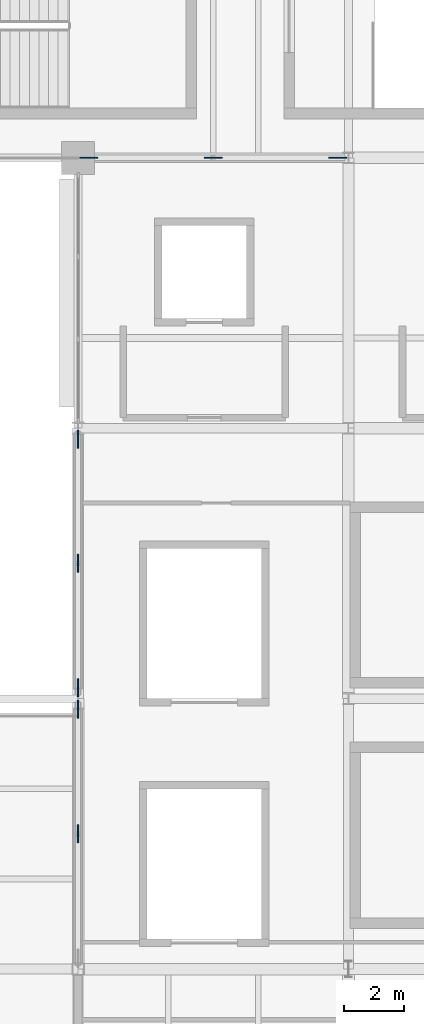
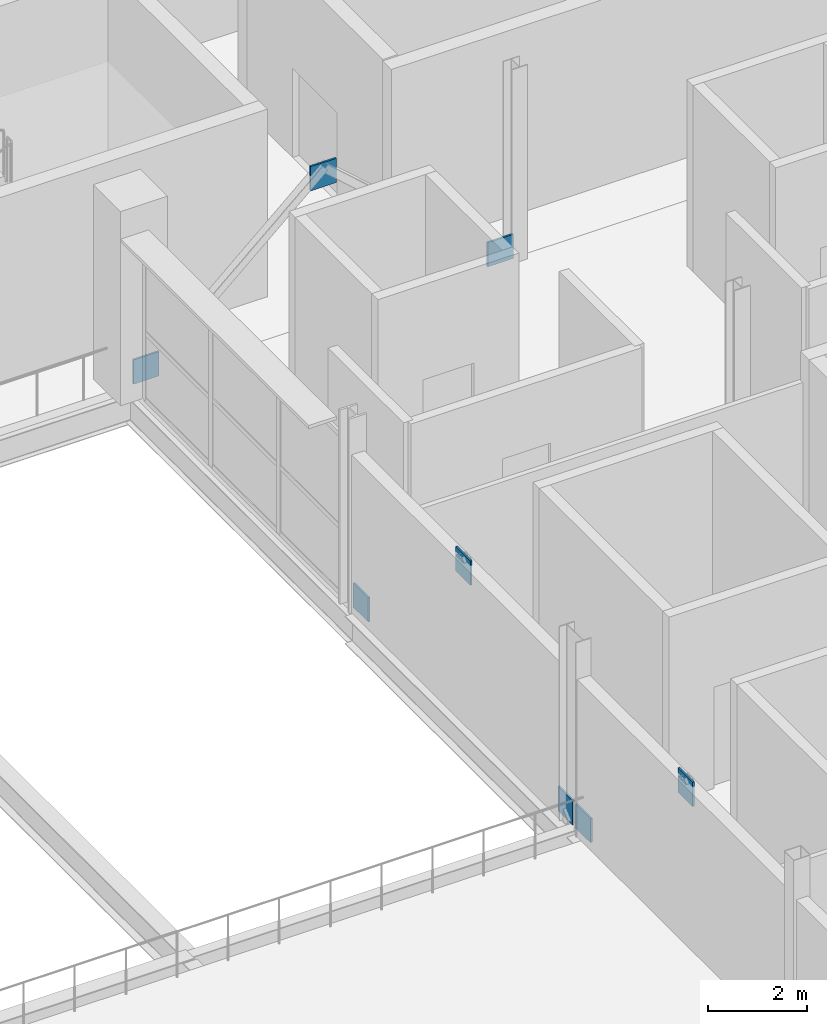
# One storey, part 48 of 69: 8 plates.
"""IFC4 building model written with IfcOpenShell, lengths in metres."""

from ifc_helpers import new_model, si_unit, direction, frame, origin, origin_2d, place, context, subcontext, project, spatial, rectangle, extrude, material, layer, layer_set, type_object, element, save


model = new_model("IFC4")

# Units and contexts
model_context = context("Model", 3, precision=1e-05, world=origin(), true_north=direction((0.0, 1.0)))
body_context = subcontext(model_context, "Body", "Model", "MODEL_VIEW")
ifc_project = project(units=[si_unit("LENGTHUNIT", "METRE"), si_unit("AREAUNIT", "SQUARE_METRE"), si_unit("VOLUMEUNIT", "CUBIC_METRE"), si_unit("PLANEANGLEUNIT", "RADIAN"), si_unit("MASSUNIT", "GRAM", prefix="KILO")], contexts=[model_context])

# Site, building, storey
site_placement = place(None, origin())
site = spatial("IfcSite", under=ifc_project, at=site_placement, CompositionType="ELEMENT")
building_placement = place(site_placement, origin())
building = spatial("IfcBuilding", under=site, at=building_placement, Name="Qamarlyn Nura Convention Centre", CompositionType="ELEMENT")
storey_placement = place(building_placement, frame((0.0, 0.0, 15.60009765625)))
storey = spatial("IfcBuildingStorey", under=building, at=storey_placement, Name="L03", CompositionType="ELEMENT", Elevation=15.60009765625)

# Plates
ifc_material = material(Name="Structural steel ASTM A572 Grade 50", Category="steel")
ifc_layer = layer(ifc_material, 0.044921875, Name="GP-TN1")
ifc_layer_set = layer_set([ifc_layer], Name="Structural steel ASTM A572 Grade 50")
plate_type = type_object("IfcPlateType", Name="GP-TN1", PredefinedType="USERDEFINED", material=ifc_layer_set)
for number, where, z_axis, x_axis, name in (
    (1, (153.0, 63.360107421875, -0.000244140625), (0.0, 0.0, 1.0), (0.0, 1.0, 0.0), "SCBF chevron brace gusset plate CBF-E2-L03-A"),
    (2, (153.0, 71.639892578125, -0.000244140625), (0.0, 0.0, 1.0), (0.0, 1.0, 0.0), "SCBF chevron brace gusset plate CBF-E2-L03-B"),
    (3, (153.0, 67.5, 3.415771484375), (0.0, 0.0, 1.0), (0.0, 1.0, 0.0), "SCBF chevron brace gusset plate CBF-E2-L03-M"),
    (4, (153.0, 62.639892578125, -0.000244140625), (0.0, 0.0, 1.0), (0.0, 1.0, 0.0), "SCBF chevron brace gusset plate CBF-E3-L03-B"),
    (5, (153.0, 58.5, 3.40478515625), (0.0, 0.0, 1.0), (0.0, 1.0, 0.0), "SCBF chevron brace gusset plate CBF-E3-L03-M"),
    (6, (153.360107421875, 81.0, -0.000244140625), (0.0, 0.0, 1.0), (1.0, 0.0, 0.0), "SCBF chevron brace gusset plate CBF-N1-L03-A"),
    (7, (161.639892578125, 81.0, -0.000244140625), (0.0, 0.0, 1.0), (1.0, 0.0, 0.0), "SCBF chevron brace gusset plate CBF-N1-L03-B"),
    (8, (157.5, 81.0, 3.326904296875), (0.0, 0.0, 1.0), (1.0, 0.0, 0.0), "SCBF chevron brace gusset plate CBF-N1-L03-M"),
):
    element("IfcPlate", number, at=place(storey_placement, frame(where, z_axis=z_axis, x_axis=x_axis)), inside=storey, type_object=plate_type, Name=name, ObjectType="GUSSET PLATE", PredefinedType="USERDEFINED", context=body_context, shape_type="SweptSolid", body=[
        extrude(rectangle(XDim=0.60009765625, YDim=0.044921875, at=origin_2d()), origin(), (0.0, 0.0, 1.0), 0.60009765625),
    ])

save(model, "model.ifc")
